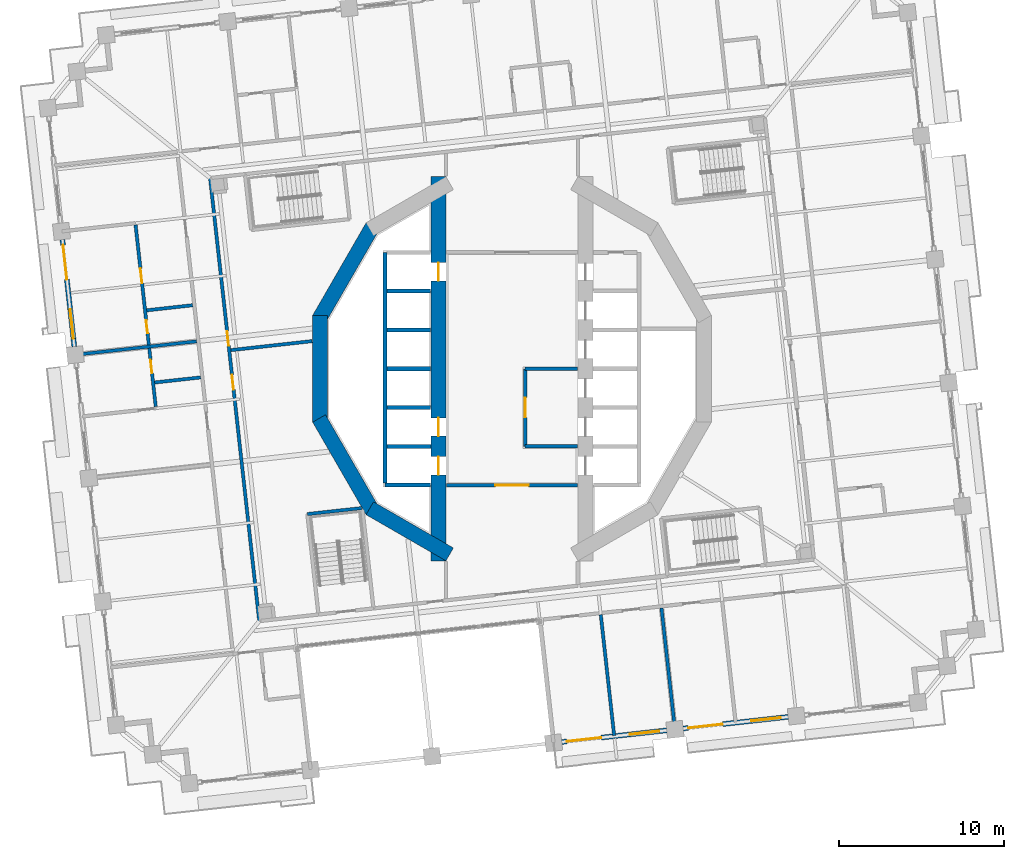
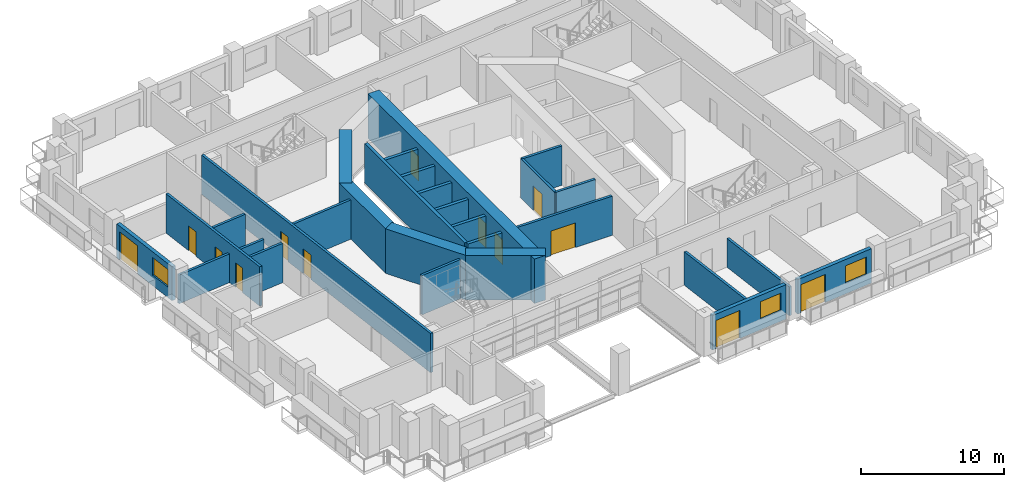
# One storey, part 8 of 21: 28 walls, 13 doors, 3 windows, 16 openings.
"""IFC4 building model written with IfcOpenShell, lengths in metres."""

from ifc_helpers import new_model, si_unit, direction, frame, frame_2d, origin, place, context, subcontext, project, spatial, rectangle, extrude, material, layer, layer_set, type_object, element, fill, save


model = new_model("IFC4")

# Units and contexts
model_context = context("Model", 3, precision=1e-05, world=origin(), true_north=direction((0.0, 1.0)))
body_context = subcontext(model_context, "Body", "Model", "MODEL_VIEW")
ifc_project = project(units=[si_unit("LENGTHUNIT", "METRE"), si_unit("AREAUNIT", "SQUARE_METRE"), si_unit("VOLUMEUNIT", "CUBIC_METRE"), si_unit("PLANEANGLEUNIT", "RADIAN"), si_unit("MASSUNIT", "GRAM", prefix="KILO")], contexts=[model_context])

# Site, building, storey
site_placement = place(None, origin())
site = spatial("IfcSite", under=ifc_project, at=site_placement, CompositionType="ELEMENT")
building_placement = place(site_placement, origin())
building = spatial("IfcBuilding", under=site, at=building_placement, Name="Cantera Rosa Tower", CompositionType="ELEMENT")
storey_placement = place(building_placement, frame((0.0, 0.0, 80.5)))
storey = spatial("IfcBuildingStorey", under=building, at=storey_placement, Name="L17", CompositionType="ELEMENT", Elevation=80.5)

# Wall, openings, doors
ifc_material_1 = material(Name="Gypsum board partition")
ifc_layer_1 = layer(ifc_material_1, 0.199951171875)
ifc_layer_set_1 = layer_set([ifc_layer_1], Name="CORRIDOR WALL 200 H3350")
wall_type_1 = type_object("IfcWallType", Name="CORRIDOR WALL 200 H3350", PredefinedType="PARTITIONING", material=ifc_layer_set_1)
wall_1_placement = place(storey_placement, frame((-18.2861328125, 11.55322265625, 0.0), z_axis=(0.0, 0.0, 1.0), x_axis=(0.110315409641, -0.993896629633, 0.0)))
wall_1 = element("IfcWall", 1, at=wall_1_placement, inside=storey, type_object=wall_type_1, Name="CORRIDOR WALL L17-010", PredefinedType="PARTITIONING", context=body_context, shape_type="SweptSolid", body=[
    extrude(rectangle(XDim=27.0, YDim=0.199951171875, at=frame_2d((13.5, 0.0))), origin(), (0.0, 0.0, 1.0), 3.35009765625),
])
opening_1_placement = place(wall_1_placement, frame((9.330078125, 0.0, 0.0)))
opening_1 = element("IfcOpeningElement", 2, at=opening_1_placement, cuts=wall_1, Name="Opening L17-006", PredefinedType="OPENING", context=body_context, shape_type="SweptSolid", body=[
    extrude(rectangle(XDim=0.89990234375, YDim=2.10009765625, at=frame_2d((0.449951171875, 1.050048828125))), frame((0.0, 0.10986328125, 0.0), z_axis=(0.0, -1.0, 0.0), x_axis=(1.0, 0.0, 0.0)), (0.0, 0.0, 1.0), 0.219970703125),
])
opening_2_placement = place(wall_1_placement, frame((12.0, 0.0, 0.0)))
opening_2 = element("IfcOpeningElement", 3, at=opening_2_placement, cuts=wall_1, Name="Opening L17-007", PredefinedType="OPENING", context=body_context, shape_type="SweptSolid", body=[
    extrude(rectangle(XDim=0.89990234375, YDim=2.10009765625, at=frame_2d((0.449951171875, 1.050048828125))), frame((0.0, 0.10986328125, 0.0), z_axis=(0.0, -1.0, 0.0), x_axis=(1.0, 0.0, 0.0)), (0.0, 0.0, 1.0), 0.219970703125),
])
ifc_material_2 = material(Name="Timber door leaf", Category="wood")
door_type_1 = type_object("IfcDoorType", Name="SERVICE DOOR 900x2100", OperationType="NOTDEFINED", PredefinedType="DOOR", material=ifc_material_2)
door_1_placement = place(opening_1_placement, origin())
door_1 = element("IfcDoor", 4, at=door_1_placement, inside=storey, type_object=door_type_1, Name="DOOR L17-006", OperationType="NOTDEFINED", OverallHeight=2.10009765625, OverallWidth=0.89990234375, PredefinedType="DOOR", context=body_context, shape_type="SweptSolid", body=[
    extrude(rectangle(XDim=0.89990234375, YDim=2.10009765625, at=frame_2d((0.449951171875, 1.050048828125))), frame((0.0, 0.02490234375, 0.0), z_axis=(0.0, -1.0, 0.0), x_axis=(1.0, 0.0, 0.0)), (0.0, 0.0, 1.0), 0.050048828125),
])
fill(opening_1, door_1)
door_2_placement = place(opening_2_placement, origin())
door_2 = element("IfcDoor", 5, at=door_2_placement, inside=storey, type_object=door_type_1, Name="DOOR L17-007", OperationType="NOTDEFINED", OverallHeight=2.10009765625, OverallWidth=0.89990234375, PredefinedType="DOOR", context=body_context, shape_type="SweptSolid", body=[
    extrude(rectangle(XDim=0.89990234375, YDim=2.10009765625, at=frame_2d((0.449951171875, 1.050048828125))), frame((0.0, 0.02490234375, 0.0), z_axis=(0.0, -1.0, 0.0), x_axis=(1.0, 0.0, 0.0)), (0.0, 0.0, 1.0), 0.050048828125),
])
fill(opening_2, door_2)

# Wall, opening, door
wall_2_placement = place(storey_placement, frame((3.969970703125, -7.050048828125, 0.0), z_axis=(0.0, 0.0, 1.0), x_axis=(-1.0, 0.0, 0.0)))
wall_2 = element("IfcWall", 6, at=wall_2_placement, inside=storey, type_object=wall_type_1, Name="CORRIDOR WALL L17-059", PredefinedType="PARTITIONING", context=body_context, shape_type="SweptSolid", body=[
    extrude(rectangle(XDim=7.93994140625, YDim=0.199951171875, at=frame_2d((3.969970703125, 0.0))), origin(), (0.0, 0.0, 1.0), 3.35009765625),
])
opening_3_placement = place(wall_2_placement, frame((2.969970703125, 0.0, 0.0)))
opening_3 = element("IfcOpeningElement", 7, at=opening_3_placement, cuts=wall_2, Name="Opening L17-013", PredefinedType="OPENING", context=body_context, shape_type="SweptSolid", body=[
    extrude(rectangle(XDim=2.0, YDim=2.10009765625, at=frame_2d((1.0, 1.050048828125))), frame((0.0, 0.10986328125, 0.0), z_axis=(0.0, -1.0, 0.0), x_axis=(1.0, 0.0, 0.0)), (0.0, 0.0, 1.0), 0.219970703125),
])
ifc_material_3 = material(Name="Steel S355J2 (EN 10025-2)", Category="steel")
door_type_2 = type_object("IfcDoorType", Name="LOBBY SCREEN DOOR 2000x2100", OperationType="NOTDEFINED", PredefinedType="DOOR", material=ifc_material_3)
door_3_placement = place(opening_3_placement, origin())
door_3 = element("IfcDoor", 8, at=door_3_placement, inside=storey, type_object=door_type_2, Name="DOOR L17-013", OperationType="NOTDEFINED", OverallHeight=2.10009765625, OverallWidth=2.0, PredefinedType="DOOR", context=body_context, shape_type="SweptSolid", body=[
    extrude(rectangle(XDim=2.0, YDim=2.10009765625, at=frame_2d((1.0, 1.050048828125))), frame((0.0, 0.02490234375, 0.0), z_axis=(0.0, -1.0, 0.0), x_axis=(1.0, 0.0, 0.0)), (0.0, 0.0, 1.0), 0.050048828125),
])
fill(opening_3, door_3)

# Wall, openings, window, door
ifc_material_4 = material(Name="Hollow clay masonry with cantera stone cladding", Category="masonry")
ifc_layer_2 = layer(ifc_material_4, 0.300048828125)
ifc_layer_set_2 = layer_set([ifc_layer_2], Name="EW-LOGGIA 300 H2890")
wall_type_2 = type_object("IfcWallType", Name="EW-LOGGIA 300 H2890", PredefinedType="SOLIDWALL", material=ifc_layer_set_2)
wall_3_placement = place(storey_placement, frame((-27.229248046875, 7.823974609375, 0.0), z_axis=(0.0, 0.0, 1.0), x_axis=(0.110312341265, -0.993896970196, 0.0)))
wall_3 = element("IfcWall", 9, at=wall_3_placement, inside=storey, type_object=wall_type_2, Name="EN-L17-W17", PredefinedType="SOLIDWALL", context=body_context, shape_type="SweptSolid", body=[
    extrude(rectangle(XDim=6.52001953125, YDim=0.300048828125, at=frame_2d((3.260009765625, 0.0))), origin(), (0.0, 0.0, 1.0), 2.889892578125),
])
opening_4_placement = place(wall_3_placement, frame((0.330078125, 0.0, 0.0)))
opening_4 = element("IfcOpeningElement", 10, at=opening_4_placement, cuts=wall_3, Name="Opening L17-TD25", PredefinedType="OPENING", context=body_context, shape_type="SweptSolid", body=[
    extrude(rectangle(XDim=2.10009765625, YDim=2.39990234375, at=frame_2d((1.050048828125, 1.199951171875))), frame((0.0, 0.159912109375, 0.0), z_axis=(0.0, -1.0, 0.0), x_axis=(1.0, 0.0, 0.0)), (0.0, 0.0, 1.0), 0.320068359375),
])
opening_5_placement = place(wall_3_placement, frame((4.239990234375, 0.0, 0.89990234375)))
opening_5 = element("IfcOpeningElement", 11, at=opening_5_placement, cuts=wall_3, Name="Opening L17-W26", PredefinedType="OPENING", context=body_context, shape_type="SweptSolid", body=[
    extrude(rectangle(XDim=1.800048828125, YDim=1.5, at=frame_2d((0.89990234375, 0.75))), frame((0.0, 0.159912109375, 0.0), z_axis=(0.0, -1.0, 0.0), x_axis=(1.0, 0.0, 0.0)), (0.0, 0.0, 1.0), 0.320068359375),
])
ifc_material_5 = material(Name="Aluminium frame with clear glass", Category="aluminium")
window_type = type_object("IfcWindowType", Name="Hotel room window 1800x1500", PartitioningType="DOUBLE_PANEL_VERTICAL", PredefinedType="WINDOW", material=ifc_material_5)
window_1_placement = place(opening_5_placement, origin())
window_1 = element("IfcWindow", 12, at=window_1_placement, inside=storey, type_object=window_type, Name="WINDOW L17-W26", OverallHeight=1.5, OverallWidth=1.800048828125, PartitioningType="SINGLE_PANEL", PredefinedType="WINDOW", context=body_context, shape_type="SweptSolid", body=[
    extrude(rectangle(XDim=1.800048828125, YDim=1.5, at=frame_2d((0.89990234375, 0.75))), frame((0.0, 0.030029296875, 0.0), z_axis=(0.0, -1.0, 0.0), x_axis=(1.0, 0.0, 0.0)), (0.0, 0.0, 1.0), 0.06005859375),
])
fill(opening_5, window_1)
ifc_material_6 = material(Name="Aluminium frame with clear glass", Category="aluminium")
door_type_3 = type_object("IfcDoorType", Name="TD-H 2100x2400", OperationType="NOTDEFINED", PredefinedType="DOOR", material=ifc_material_6)
door_4_placement = place(opening_4_placement, origin())
door_4 = element("IfcDoor", 13, at=door_4_placement, inside=storey, type_object=door_type_3, Name="LOGGIA DOOR L17-TD25", OperationType="SLIDING_TO_LEFT", OverallHeight=2.39990234375, OverallWidth=2.10009765625, PredefinedType="DOOR", context=body_context, shape_type="SweptSolid", body=[
    extrude(rectangle(XDim=2.10009765625, YDim=2.39990234375, at=frame_2d((1.050048828125, 1.199951171875))), frame((0.0, 0.02490234375, 0.0), z_axis=(0.0, -1.0, 0.0), x_axis=(1.0, 0.0, 0.0)), (0.0, 0.0, 1.0), 0.050048828125),
])
fill(opening_4, door_4)

ifc_material_7 = material(Name="Hollow clay masonry with cantera stone cladding", Category="masonry")
ifc_layer_3 = layer(ifc_material_7, 0.300048828125)
ifc_layer_set_3 = layer_set([ifc_layer_3], Name="EW-LOGGIA 300 H2940")
wall_type_3 = type_object("IfcWallType", Name="EW-LOGGIA 300 H2940", PredefinedType="SOLIDWALL", material=ifc_layer_set_3)
wall_4_placement = place(storey_placement, frame((3.011962890625, -22.605712890625, 0.0), z_axis=(0.0, 0.0, 1.0), x_axis=(0.993896288542, 0.110318482689, 0.0)))
wall_4 = element("IfcWall", 14, at=wall_4_placement, inside=storey, type_object=wall_type_3, Name="EN-L17-W26", PredefinedType="SOLIDWALL", context=body_context, shape_type="SweptSolid", body=[
    extrude(rectangle(XDim=6.400146484375, YDim=0.300048828125, at=frame_2d((3.2001953125, 0.0))), origin(), (0.0, 0.0, 1.0), 2.93994140625),
])
opening_6_placement = place(wall_4_placement, frame((0.300048828125, 0.0, 0.0)))
opening_6 = element("IfcOpeningElement", 15, at=opening_6_placement, cuts=wall_4, Name="Opening L17-TD35", PredefinedType="OPENING", context=body_context, shape_type="SweptSolid", body=[
    extrude(rectangle(XDim=2.10009765625, YDim=2.39990234375, at=frame_2d((1.050048828125, 1.199951171875))), frame((0.0, 0.159912109375, 0.0), z_axis=(0.0, -1.0, 0.0), x_axis=(1.0, 0.0, 0.0)), (0.0, 0.0, 1.0), 0.320068359375),
])
opening_7_placement = place(wall_4_placement, frame((4.14990234375, 0.0, 0.89990234375)))
opening_7 = element("IfcOpeningElement", 16, at=opening_7_placement, cuts=wall_4, Name="Opening L17-W36", PredefinedType="OPENING", context=body_context, shape_type="SweptSolid", body=[
    extrude(rectangle(XDim=1.800048828125, YDim=1.5, at=frame_2d((0.89990234375, 0.75))), frame((0.0, 0.159912109375, 0.0), z_axis=(0.0, -1.0, 0.0), x_axis=(1.0, 0.0, 0.0)), (0.0, 0.0, 1.0), 0.320068359375),
])
window_2_placement = place(opening_7_placement, origin())
window_2 = element("IfcWindow", 17, at=window_2_placement, inside=storey, type_object=window_type, Name="WINDOW L17-W36", OverallHeight=1.5, OverallWidth=1.800048828125, PartitioningType="SINGLE_PANEL", PredefinedType="WINDOW", context=body_context, shape_type="SweptSolid", body=[
    extrude(rectangle(XDim=1.800048828125, YDim=1.5, at=frame_2d((0.89990234375, 0.75))), frame((0.0, 0.030029296875, 0.0), z_axis=(0.0, -1.0, 0.0), x_axis=(1.0, 0.0, 0.0)), (0.0, 0.0, 1.0), 0.06005859375),
])
fill(opening_7, window_2)
door_5_placement = place(opening_6_placement, origin())
door_5 = element("IfcDoor", 18, at=door_5_placement, inside=storey, type_object=door_type_3, Name="LOGGIA DOOR L17-TD35", OperationType="SLIDING_TO_LEFT", OverallHeight=2.39990234375, OverallWidth=2.10009765625, PredefinedType="DOOR", context=body_context, shape_type="SweptSolid", body=[
    extrude(rectangle(XDim=2.10009765625, YDim=2.39990234375, at=frame_2d((1.050048828125, 1.199951171875))), frame((0.0, 0.02490234375, 0.0), z_axis=(0.0, -1.0, 0.0), x_axis=(1.0, 0.0, 0.0)), (0.0, 0.0, 1.0), 0.050048828125),
])
fill(opening_6, door_5)

wall_5_placement = place(storey_placement, frame((10.366943359375, -21.789306640625, 0.0), z_axis=(0.0, 0.0, 1.0), x_axis=(0.993900006422, 0.110284981906, 0.0)))
wall_5 = element("IfcWall", 19, at=wall_5_placement, inside=storey, type_object=wall_type_3, Name="EN-L17-W27", PredefinedType="SOLIDWALL", context=body_context, shape_type="SweptSolid", body=[
    extrude(rectangle(XDim=6.39990234375, YDim=0.300048828125, at=frame_2d((3.199951171875, 0.0))), origin(), (0.0, 0.0, 1.0), 2.93994140625),
])
opening_8_placement = place(wall_5_placement, frame((0.300048828125, 0.0, 0.0)))
opening_8 = element("IfcOpeningElement", 20, at=opening_8_placement, cuts=wall_5, Name="Opening L17-TD37", PredefinedType="OPENING", context=body_context, shape_type="SweptSolid", body=[
    extrude(rectangle(XDim=2.10009765625, YDim=2.39990234375, at=frame_2d((1.050048828125, 1.199951171875))), frame((0.0, 0.159912109375, 0.0), z_axis=(0.0, -1.0, 0.0), x_axis=(1.0, 0.0, 0.0)), (0.0, 0.0, 1.0), 0.320068359375),
])
opening_9_placement = place(wall_5_placement, frame((4.14990234375, 0.0, 0.89990234375)))
opening_9 = element("IfcOpeningElement", 21, at=opening_9_placement, cuts=wall_5, Name="Opening L17-W38", PredefinedType="OPENING", context=body_context, shape_type="SweptSolid", body=[
    extrude(rectangle(XDim=1.800048828125, YDim=1.5, at=frame_2d((0.89990234375, 0.75))), frame((0.0, 0.159912109375, 0.0), z_axis=(0.0, -1.0, 0.0), x_axis=(1.0, 0.0, 0.0)), (0.0, 0.0, 1.0), 0.320068359375),
])
window_3_placement = place(opening_9_placement, origin())
window_3 = element("IfcWindow", 22, at=window_3_placement, inside=storey, type_object=window_type, Name="WINDOW L17-W38", OverallHeight=1.5, OverallWidth=1.800048828125, PartitioningType="SINGLE_PANEL", PredefinedType="WINDOW", context=body_context, shape_type="SweptSolid", body=[
    extrude(rectangle(XDim=1.800048828125, YDim=1.5, at=frame_2d((0.89990234375, 0.75))), frame((0.0, 0.030029296875, 0.0), z_axis=(0.0, -1.0, 0.0), x_axis=(1.0, 0.0, 0.0)), (0.0, 0.0, 1.0), 0.06005859375),
])
fill(opening_9, window_3)
door_6_placement = place(opening_8_placement, origin())
door_6 = element("IfcDoor", 23, at=door_6_placement, inside=storey, type_object=door_type_3, Name="LOGGIA DOOR L17-TD37", OperationType="SLIDING_TO_LEFT", OverallHeight=2.39990234375, OverallWidth=2.10009765625, PredefinedType="DOOR", context=body_context, shape_type="SweptSolid", body=[
    extrude(rectangle(XDim=2.10009765625, YDim=2.39990234375, at=frame_2d((1.050048828125, 1.199951171875))), frame((0.0, 0.02490234375, 0.0), z_axis=(0.0, -1.0, 0.0), x_axis=(1.0, 0.0, 0.0)), (0.0, 0.0, 1.0), 0.050048828125),
])
fill(opening_8, door_6)

# Walls
ifc_material_8 = material(Name="Gypsum board partition")
ifc_layer_4 = layer(ifc_material_8, 0.199951171875)
ifc_layer_set_4 = layer_set([ifc_layer_4], Name="PARTITION 200 H2450")
wall_type_4 = type_object("IfcWallType", Name="PARTITION 200 H2450", PredefinedType="PARTITIONING", material=ifc_layer_set_4)
wall_6_placement = place(storey_placement, frame((9.0537109375, -14.48974609375, 0.0), z_axis=(0.0, 0.0, 1.0), x_axis=(0.11031154238, -0.993897058864, 0.0)))
element("IfcWall", 24, at=wall_6_placement, inside=storey, type_object=wall_type_4, Name="PARTITION L17-075", PredefinedType="PARTITIONING", context=body_context, shape_type="SweptSolid", body=[
    extrude(rectangle(XDim=7.369873046875, YDim=0.199951171875, at=frame_2d((3.68505859375, 0.0))), origin(), (0.0, 0.0, 1.0), 2.449951171875),
])
ifc_material_9 = material(Name="Gypsum board partition")
ifc_layer_5 = layer(ifc_material_9, 0.199951171875)
ifc_layer_set_5 = layer_set([ifc_layer_5], Name="PARTITION 200 H2850")
wall_type_5 = type_object("IfcWallType", Name="PARTITION 200 H2850", PredefinedType="PARTITIONING", material=ifc_layer_set_5)
wall_7_placement = place(storey_placement, frame((5.376220703125, -14.89794921875, 0.0), z_axis=(0.0, 0.0, 1.0), x_axis=(0.11031154238, -0.993897058864, 0.0)))
element("IfcWall", 25, at=wall_7_placement, inside=storey, type_object=wall_type_5, Name="PARTITION L17-067", PredefinedType="PARTITIONING", context=body_context, shape_type="SweptSolid", body=[
    extrude(rectangle(XDim=7.369873046875, YDim=0.199951171875, at=frame_2d((3.68505859375, 0.0))), origin(), (0.0, 0.0, 1.0), 2.85009765625),
])

# Wall, openings, doors
ifc_material_10 = material(Name="Gypsum board partition")
ifc_layer_6 = layer(ifc_material_10, 0.199951171875)
ifc_layer_set_6 = layer_set([ifc_layer_6], Name="PARTITION 200 H3350")
wall_type_6 = type_object("IfcWallType", Name="PARTITION 200 H3350", PredefinedType="PARTITIONING", material=ifc_layer_set_6)
wall_8_placement = place(storey_placement, frame((-22.80078125, 8.718017578125, 0.0), z_axis=(0.0, 0.0, 1.0), x_axis=(0.110303350434, -0.993897968045, 0.0)))
wall_8 = element("IfcWall", 26, at=wall_8_placement, inside=storey, type_object=wall_type_6, Name="PARTITION L17-003", PredefinedType="PARTITIONING", context=body_context, shape_type="SweptSolid", body=[
    extrude(rectangle(XDim=11.080078125, YDim=0.199951171875, at=frame_2d((5.5400390625, 0.0))), origin(), (0.0, 0.0, 1.0), 3.35009765625),
])
opening_10_placement = place(wall_8_placement, frame((2.659912109375, 0.0, 0.0)))
opening_10 = element("IfcOpeningElement", 27, at=opening_10_placement, cuts=wall_8, Name="Opening L17-032", PredefinedType="OPENING", context=body_context, shape_type="SweptSolid", body=[
    extrude(rectangle(XDim=0.89990234375, YDim=2.10009765625, at=frame_2d((0.449951171875, 1.050048828125))), frame((0.0, 0.10986328125, 0.0), z_axis=(0.0, -1.0, 0.0), x_axis=(1.0, 0.0, 0.0)), (0.0, 0.0, 1.0), 0.219970703125),
])
opening_11_placement = place(wall_8_placement, frame((5.81005859375, 0.0, 0.0)))
opening_11 = element("IfcOpeningElement", 28, at=opening_11_placement, cuts=wall_8, Name="Opening L17-033", PredefinedType="OPENING", context=body_context, shape_type="SweptSolid", body=[
    extrude(rectangle(XDim=0.800048828125, YDim=2.10009765625, at=frame_2d((0.39990234375, 1.050048828125))), frame((0.0, 0.10986328125, 0.0), z_axis=(0.0, -1.0, 0.0), x_axis=(1.0, 0.0, 0.0)), (0.0, 0.0, 1.0), 0.219970703125),
])
opening_12_placement = place(wall_8_placement, frame((8.22998046875, 0.0, 0.0)))
opening_12 = element("IfcOpeningElement", 29, at=opening_12_placement, cuts=wall_8, Name="Opening L17-036", PredefinedType="OPENING", context=body_context, shape_type="SweptSolid", body=[
    extrude(rectangle(XDim=0.800048828125, YDim=2.10009765625, at=frame_2d((0.39990234375, 1.050048828125))), frame((0.0, 0.10986328125, 0.0), z_axis=(0.0, -1.0, 0.0), x_axis=(1.0, 0.0, 0.0)), (0.0, 0.0, 1.0), 0.219970703125),
])
ifc_material_11 = material(Name="Timber door leaf", Category="wood")
door_type_4 = type_object("IfcDoorType", Name="BATHROOM DOOR 800x2100", OperationType="NOTDEFINED", PredefinedType="DOOR", material=ifc_material_11)
door_7_placement = place(opening_11_placement, origin())
door_7 = element("IfcDoor", 30, at=door_7_placement, inside=storey, type_object=door_type_4, Name="DOOR L17-033", OperationType="NOTDEFINED", OverallHeight=2.10009765625, OverallWidth=0.800048828125, PredefinedType="DOOR", context=body_context, shape_type="SweptSolid", body=[
    extrude(rectangle(XDim=0.800048828125, YDim=2.10009765625, at=frame_2d((0.39990234375, 1.050048828125))), frame((0.0, 0.02490234375, 0.0), z_axis=(0.0, -1.0, 0.0), x_axis=(1.0, 0.0, 0.0)), (0.0, 0.0, 1.0), 0.050048828125),
])
fill(opening_11, door_7)
door_8_placement = place(opening_12_placement, origin())
door_8 = element("IfcDoor", 31, at=door_8_placement, inside=storey, type_object=door_type_4, Name="DOOR L17-036", OperationType="NOTDEFINED", OverallHeight=2.10009765625, OverallWidth=0.800048828125, PredefinedType="DOOR", context=body_context, shape_type="SweptSolid", body=[
    extrude(rectangle(XDim=0.800048828125, YDim=2.10009765625, at=frame_2d((0.39990234375, 1.050048828125))), frame((0.0, 0.02490234375, 0.0), z_axis=(0.0, -1.0, 0.0), x_axis=(1.0, 0.0, 0.0)), (0.0, 0.0, 1.0), 0.050048828125),
])
fill(opening_12, door_8)
ifc_material_12 = material(Name="Timber door leaf", Category="wood")
door_type_5 = type_object("IfcDoorType", Name="ROOM DOOR 900x2100", OperationType="NOTDEFINED", PredefinedType="DOOR", material=ifc_material_12)
door_9_placement = place(opening_10_placement, origin())
door_9 = element("IfcDoor", 32, at=door_9_placement, inside=storey, type_object=door_type_5, Name="DOOR L17-032", OperationType="NOTDEFINED", OverallHeight=2.10009765625, OverallWidth=0.89990234375, PredefinedType="DOOR", context=body_context, shape_type="SweptSolid", body=[
    extrude(rectangle(XDim=0.89990234375, YDim=2.10009765625, at=frame_2d((0.449951171875, 1.050048828125))), frame((0.0, 0.02490234375, 0.0), z_axis=(0.0, -1.0, 0.0), x_axis=(1.0, 0.0, 0.0)), (0.0, 0.0, 1.0), 0.050048828125),
])
fill(opening_10, door_9)

# Walls
wall_9_placement = place(storey_placement, frame((-22.12548828125, 3.541015625, 0.0), z_axis=(0.0, 0.0, 1.0), x_axis=(0.993907107528, 0.11022096718, 0.0)))
element("IfcWall", 33, at=wall_9_placement, inside=storey, type_object=wall_type_6, Name="PARTITION L17-004", PredefinedType="PARTITIONING", context=body_context, shape_type="SweptSolid", body=[
    extrude(rectangle(XDim=2.7998046875, YDim=0.199951171875, at=frame_2d((1.39990234375, 0.0))), origin(), (0.0, 0.0, 1.0), 3.35009765625),
])
wall_10_placement = place(storey_placement, frame((-18.857421875, -0.5234375, 0.0), z_axis=(0.0, 0.0, 1.0), x_axis=(-0.993898612038, -0.110297547524, 0.0)))
element("IfcWall", 34, at=wall_10_placement, inside=storey, type_object=wall_type_6, Name="PARTITION L17-009", PredefinedType="PARTITIONING", context=body_context, shape_type="SweptSolid", body=[
    extrude(rectangle(XDim=2.800048828125, YDim=0.199951171875, at=frame_2d((1.39990234375, 0.0))), origin(), (0.0, 0.0, 1.0), 3.35009765625),
])
wall_11_placement = place(storey_placement, frame((-12.10400390625, 1.675048828125, 0.0), z_axis=(0.0, 0.0, 1.0), x_axis=(-0.993895146951, -0.11032876718, 0.0)))
element("IfcWall", 35, at=wall_11_placement, inside=storey, type_object=wall_type_6, Name="PARTITION L17-033", PredefinedType="PARTITIONING", context=body_context, shape_type="SweptSolid", body=[
    extrude(rectangle(XDim=4.95458984375, YDim=0.199951171875, at=frame_2d((2.477294921875, 0.0))), origin(), (0.0, 0.0, 1.0), 3.35009765625),
])
ifc_material_13 = material(Name="Gypsum board partition")
ifc_layer_7 = layer(ifc_material_13, 0.199951171875)
ifc_layer_set_7 = layer_set([ifc_layer_7], Name="PARTY WALL 200 H2450")
wall_type_7 = type_object("IfcWallType", Name="PARTY WALL 200 H2450", PredefinedType="PARTITIONING", material=ifc_layer_set_7)
wall_12_placement = place(storey_placement, frame((-19.10009765625, 1.6630859375, 0.0), z_axis=(0.0, 0.0, 1.0), x_axis=(-0.993897058864, -0.11031154238, 0.0)))
element("IfcWall", 36, at=wall_12_placement, inside=storey, type_object=wall_type_7, Name="PARTY WALL L17-008", PredefinedType="PARTITIONING", context=body_context, shape_type="SweptSolid", body=[
    extrude(rectangle(XDim=7.369873046875, YDim=0.199951171875, at=frame_2d((3.68505859375, 0.0))), origin(), (0.0, 0.0, 1.0), 2.449951171875),
])
ifc_material_14 = material(Name="Concrete C70/85", Category="concrete")
ifc_layer_8 = layer(ifc_material_14, 0.89990234375)
ifc_layer_set_8 = layer_set([ifc_layer_8], Name="RC CORE WALL 900 C70/85")
wall_type_8 = type_object("IfcWallType", Name="RC CORE WALL 900 C70/85", PredefinedType="SHEAR", material=ifc_layer_set_8)
wall_13_placement = place(storey_placement, frame((-3.77490234375, -11.242919921875, 0.0), z_axis=(0.0, 0.0, 1.0), x_axis=(-0.866026961591, 0.49999730179, 0.0)))
element("IfcWall", 37, at=wall_13_placement, inside=storey, type_object=wall_type_8, Name="CW-W1 L17", PredefinedType="SHEAR", context=body_context, shape_type="SweptSolid", body=[
    extrude(rectangle(XDim=5.58740234375, YDim=0.89990234375, at=frame_2d((2.793701171875, 0.0))), origin(), (0.0, 0.0, 1.0), 3.800048828125),
])
wall_14_placement = place(storey_placement, frame((-8.44921875, -8.61376953125, 0.0), z_axis=(0.0, 0.0, 1.0), x_axis=(-0.499990282633, 0.866031014036, 0.0)))
element("IfcWall", 38, at=wall_14_placement, inside=storey, type_object=wall_type_8, Name="CW-W2 L17", PredefinedType="SHEAR", context=body_context, shape_type="SweptSolid", body=[
    extrude(rectangle(XDim=6.470458984375, YDim=0.89990234375, at=frame_2d((3.2353515625, 0.0))), origin(), (0.0, 0.0, 1.0), 3.800048828125),
])
wall_15_placement = place(storey_placement, frame((-11.6240234375, -3.2353515625, 0.0), z_axis=(0.0, 0.0, 1.0), x_axis=(0.0, 1.0, 0.0)))
element("IfcWall", 39, at=wall_15_placement, inside=storey, type_object=wall_type_8, Name="CW-W3 L17", PredefinedType="SHEAR", context=body_context, shape_type="SweptSolid", body=[
    extrude(rectangle(XDim=6.470703125, YDim=0.89990234375, at=frame_2d((3.2353515625, 0.0))), origin(), (0.0, 0.0, 1.0), 3.800048828125),
])
wall_16_placement = place(storey_placement, frame((-11.684326171875, 3.01025390625, 0.0), z_axis=(0.0, 0.0, 1.0), x_axis=(0.499990282633, 0.866031014036, 0.0)))
element("IfcWall", 40, at=wall_16_placement, inside=storey, type_object=wall_type_8, Name="CW-W4 L17", PredefinedType="SHEAR", context=body_context, shape_type="SweptSolid", body=[
    extrude(rectangle(XDim=6.470458984375, YDim=0.89990234375, at=frame_2d((3.2353515625, 0.0))), origin(), (0.0, 0.0, 1.0), 3.800048828125),
])

# Wall, openings, doors
wall_17_placement = place(storey_placement, frame((-4.449951171875, 11.632568359375, 0.0), z_axis=(0.0, 0.0, 1.0), x_axis=(0.0, -1.0, 0.0)))
wall_17 = element("IfcWall", 41, at=wall_17_placement, inside=storey, type_object=wall_type_8, Name="CW-W6 L17", PredefinedType="SHEAR", context=body_context, shape_type="SweptSolid", body=[
    extrude(rectangle(XDim=23.26513671875, YDim=0.89990234375, at=frame_2d((11.632568359375, 0.0))), origin(), (0.0, 0.0, 1.0), 3.800048828125),
])
opening_13_placement = place(wall_17_placement, frame((14.607421875, 0.0, 0.0)))
opening_13 = element("IfcOpeningElement", 42, at=opening_13_placement, cuts=wall_17, Name="Opening LD-P3-L17", PredefinedType="OPENING", context=body_context, shape_type="SweptSolid", body=[
    extrude(rectangle(XDim=1.10009765625, YDim=2.10009765625, at=frame_2d((0.550048828125, 1.050048828125))), frame((0.0, 0.4599609375, 0.0), z_axis=(0.0, -1.0, 0.0), x_axis=(1.0, 0.0, 0.0)), (0.0, 0.0, 1.0), 0.919921875),
])
opening_14_placement = place(wall_17_placement, frame((16.95751953125, 0.0, 0.0)))
opening_14 = element("IfcOpeningElement", 43, at=opening_14_placement, cuts=wall_17, Name="Opening LD-P4-L17", PredefinedType="OPENING", context=body_context, shape_type="SweptSolid", body=[
    extrude(rectangle(XDim=1.10009765625, YDim=2.10009765625, at=frame_2d((0.550048828125, 1.050048828125))), frame((0.0, 0.4599609375, 0.0), z_axis=(0.0, -1.0, 0.0), x_axis=(1.0, 0.0, 0.0)), (0.0, 0.0, 1.0), 0.919921875),
])
opening_15_placement = place(wall_17_placement, frame((5.20751953125, 0.0, 0.0)))
opening_15 = element("IfcOpeningElement", 44, at=opening_15_placement, cuts=wall_17, Name="Opening LD-P5-L17", PredefinedType="OPENING", context=body_context, shape_type="SweptSolid", body=[
    extrude(rectangle(XDim=1.10009765625, YDim=2.10009765625, at=frame_2d((0.550048828125, 1.050048828125))), frame((0.0, 0.4599609375, 0.0), z_axis=(0.0, -1.0, 0.0), x_axis=(1.0, 0.0, 0.0)), (0.0, 0.0, 1.0), 0.919921875),
])
ifc_material_15 = material(Name="Steel S355J2 (EN 10025-2)", Category="steel")
door_type_6 = type_object("IfcDoorType", Name="LANDING DOOR 1100x2100", OperationType="NOTDEFINED", PredefinedType="DOOR", material=ifc_material_15)
door_10_placement = place(opening_13_placement, origin())
door_10 = element("IfcDoor", 45, at=door_10_placement, inside=storey, type_object=door_type_6, Name="LANDING DOOR P3 L17", OperationType="SLIDING_TO_LEFT", OverallHeight=2.10009765625, OverallWidth=1.10009765625, PredefinedType="DOOR", context=body_context, shape_type="SweptSolid", body=[
    extrude(rectangle(XDim=1.10009765625, YDim=2.10009765625, at=frame_2d((0.550048828125, 1.050048828125))), frame((0.0, 0.02490234375, 0.0), z_axis=(0.0, -1.0, 0.0), x_axis=(1.0, 0.0, 0.0)), (0.0, 0.0, 1.0), 0.050048828125),
])
fill(opening_13, door_10)
door_11_placement = place(opening_14_placement, origin())
door_11 = element("IfcDoor", 46, at=door_11_placement, inside=storey, type_object=door_type_6, Name="LANDING DOOR P4 L17", OperationType="SLIDING_TO_LEFT", OverallHeight=2.10009765625, OverallWidth=1.10009765625, PredefinedType="DOOR", context=body_context, shape_type="SweptSolid", body=[
    extrude(rectangle(XDim=1.10009765625, YDim=2.10009765625, at=frame_2d((0.550048828125, 1.050048828125))), frame((0.0, 0.02490234375, 0.0), z_axis=(0.0, -1.0, 0.0), x_axis=(1.0, 0.0, 0.0)), (0.0, 0.0, 1.0), 0.050048828125),
])
fill(opening_14, door_11)
door_12_placement = place(opening_15_placement, origin())
door_12 = element("IfcDoor", 47, at=door_12_placement, inside=storey, type_object=door_type_6, Name="LANDING DOOR P5 L17", OperationType="SLIDING_TO_LEFT", OverallHeight=2.10009765625, OverallWidth=1.10009765625, PredefinedType="DOOR", context=body_context, shape_type="SweptSolid", body=[
    extrude(rectangle(XDim=1.10009765625, YDim=2.10009765625, at=frame_2d((0.550048828125, 1.050048828125))), frame((0.0, 0.02490234375, 0.0), z_axis=(0.0, -1.0, 0.0), x_axis=(1.0, 0.0, 0.0)), (0.0, 0.0, 1.0), 0.050048828125),
])
fill(opening_15, door_12)

# Walls
ifc_material_16 = material(Name="Masonry blockwork", Category="masonry")
ifc_layer_9 = layer(ifc_material_16, 0.25)
ifc_layer_set_9 = layer_set([ifc_layer_9], Name="SHAFT WALL 250 H3350")
wall_type_9 = type_object("IfcWallType", Name="SHAFT WALL 250 H3350", PredefinedType="SOLIDWALL", material=ifc_layer_set_9)
wall_18_placement = place(storey_placement, frame((-7.699951171875, -7.050048828125, 0.0), z_axis=(0.0, 0.0, 1.0), x_axis=(1.0, 0.0, 0.0)))
element("IfcWall", 48, at=wall_18_placement, inside=storey, type_object=wall_type_9, Name="SHAFT WALL L17-040", PredefinedType="SOLIDWALL", context=body_context, shape_type="SweptSolid", body=[
    extrude(rectangle(XDim=2.77001953125, YDim=0.25, at=frame_2d((1.385009765625, 0.0))), origin(), (0.0, 0.0, 1.0), 3.35009765625),
])
wall_19_placement = place(storey_placement, frame((-7.574951171875, -4.699951171875, 0.0), z_axis=(0.0, 0.0, 1.0), x_axis=(1.0, 0.0, 0.0)))
element("IfcWall", 49, at=wall_19_placement, inside=storey, type_object=wall_type_9, Name="SHAFT WALL L17-041", PredefinedType="SOLIDWALL", context=body_context, shape_type="SweptSolid", body=[
    extrude(rectangle(XDim=2.675048828125, YDim=0.25, at=frame_2d((1.33740234375, 0.0))), origin(), (0.0, 0.0, 1.0), 3.35009765625),
])
for number, where, z_axis, x_axis, name in (
    (50, (-7.574951171875, -2.35009765625, 0.0), (0.0, 0.0, 1.0), (1.0, 0.0, 0.0), "SHAFT WALL L17-042"),
    (51, (-7.574951171875, 0.0, 0.0), (0.0, 0.0, 1.0), (1.0, 0.0, 0.0), "SHAFT WALL L17-043"),
    (52, (-7.574951171875, 2.35009765625, 0.0), (0.0, 0.0, 1.0), (1.0, 0.0, 0.0), "SHAFT WALL L17-044"),
    (53, (-7.574951171875, 4.699951171875, 0.0), (0.0, 0.0, 1.0), (1.0, 0.0, 0.0), "SHAFT WALL L17-045"),
):
    element("IfcWall", number, at=place(storey_placement, frame(where, z_axis=z_axis, x_axis=x_axis)), inside=storey, type_object=wall_type_9, Name=name, PredefinedType="SOLIDWALL", context=body_context, shape_type="SweptSolid", body=[
        extrude(rectangle(XDim=2.64501953125, YDim=0.25, at=frame_2d((1.322509765625, 0.0))), origin(), (0.0, 0.0, 1.0), 3.35009765625),
    ])
wall_20_placement = place(storey_placement, frame((-7.699951171875, 7.050048828125, 0.0), z_axis=(0.0, 0.0, 1.0), x_axis=(0.0, -1.0, 0.0)))
element("IfcWall", 54, at=wall_20_placement, inside=storey, type_object=wall_type_9, Name="SHAFT WALL L17-046", PredefinedType="SOLIDWALL", context=body_context, shape_type="SweptSolid", body=[
    extrude(rectangle(XDim=13.97998046875, YDim=0.25, at=frame_2d((6.989990234375, 0.0))), origin(), (0.0, 0.0, 1.0), 3.35009765625),
])
ifc_material_17 = material(Name="Concrete C50/60", Category="concrete")
ifc_layer_10 = layer(ifc_material_17, 0.199951171875)
ifc_layer_set_10 = layer_set([ifc_layer_10], Name="STAIR WALL 200 H3350")
wall_type_10 = type_object("IfcWallType", Name="STAIR WALL 200 H3350", PredefinedType="SOLIDWALL", material=ifc_layer_set_10)
wall_21_placement = place(storey_placement, frame((-9.10498046875, -8.437744140625, 0.0), z_axis=(0.0, 0.0, 1.0), x_axis=(-0.993897215684, -0.110310129436, 0.0)))
element("IfcWall", 55, at=wall_21_placement, inside=storey, type_object=wall_type_10, Name="STAIR WALL L17-037", PredefinedType="SOLIDWALL", context=body_context, shape_type="SweptSolid", body=[
    extrude(rectangle(XDim=3.31103515625, YDim=0.199951171875, at=frame_2d((1.655517578125, 0.0))), origin(), (0.0, 0.0, 1.0), 3.35009765625),
])

# Wall, opening, door
wall_22_placement = place(storey_placement, frame((0.800048828125, -4.699951171875, 0.0), z_axis=(0.0, 0.0, 1.0), x_axis=(0.0, 1.0, 0.0)))
wall_22 = element("IfcWall", 56, at=wall_22_placement, inside=storey, type_object=wall_type_10, Name="STAIR WALL L17-054", PredefinedType="SOLIDWALL", context=body_context, shape_type="SweptSolid", body=[
    extrude(rectangle(XDim=4.699951171875, YDim=0.199951171875, at=frame_2d((2.35009765625, 0.0))), origin(), (0.0, 0.0, 1.0), 3.35009765625),
])
opening_16_placement = place(wall_22_placement, frame((1.75, 0.0, 0.0)))
opening_16 = element("IfcOpeningElement", 57, at=opening_16_placement, cuts=wall_22, Name="Opening L17-014", PredefinedType="OPENING", context=body_context, shape_type="SweptSolid", body=[
    extrude(rectangle(XDim=1.199951171875, YDim=2.10009765625, at=frame_2d((0.60009765625, 1.050048828125))), frame((0.0, 0.10986328125, 0.0), z_axis=(0.0, -1.0, 0.0), x_axis=(1.0, 0.0, 0.0)), (0.0, 0.0, 1.0), 0.219970703125),
])
ifc_material_18 = material(Name="Steel S355J2 (EN 10025-2)", Category="steel")
door_type_7 = type_object("IfcDoorType", Name="FIRE DOOR 1200x2100", OperationType="NOTDEFINED", PredefinedType="DOOR", material=ifc_material_18)
door_13_placement = place(opening_16_placement, origin())
door_13 = element("IfcDoor", 58, at=door_13_placement, inside=storey, type_object=door_type_7, Name="DOOR L17-014", OperationType="NOTDEFINED", OverallHeight=2.10009765625, OverallWidth=1.199951171875, PredefinedType="DOOR", context=body_context, shape_type="SweptSolid", body=[
    extrude(rectangle(XDim=1.199951171875, YDim=2.10009765625, at=frame_2d((0.60009765625, 1.050048828125))), frame((0.0, 0.02490234375, 0.0), z_axis=(0.0, -1.0, 0.0), x_axis=(1.0, 0.0, 0.0)), (0.0, 0.0, 1.0), 0.050048828125),
])
fill(opening_16, door_13)

# Walls
for number, where, z_axis, x_axis, name in (
    (59, (0.800048828125, 0.0, 0.0), (0.0, 0.0, 1.0), (1.0, 0.0, 0.0), "STAIR WALL L17-055"),
    (60, (3.969970703125, -4.699951171875, 0.0), (0.0, 0.0, 1.0), (-1.0, 0.0, 0.0), "STAIR WALL L17-060"),
):
    element("IfcWall", number, at=place(storey_placement, frame(where, z_axis=z_axis, x_axis=x_axis)), inside=storey, type_object=wall_type_10, Name=name, PredefinedType="SOLIDWALL", context=body_context, shape_type="SweptSolid", body=[
        extrude(rectangle(XDim=3.169921875, YDim=0.199951171875, at=frame_2d((1.5849609375, 0.0))), origin(), (0.0, 0.0, 1.0), 3.35009765625),
    ])

save(model, "model.ifc")
